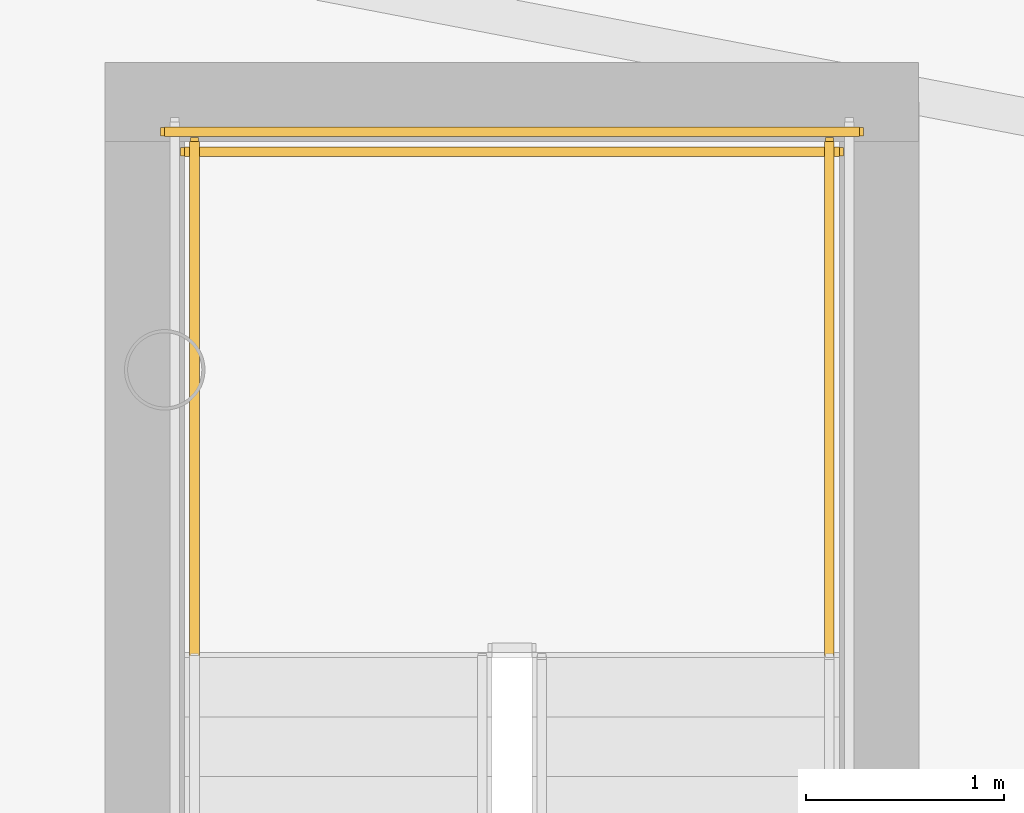
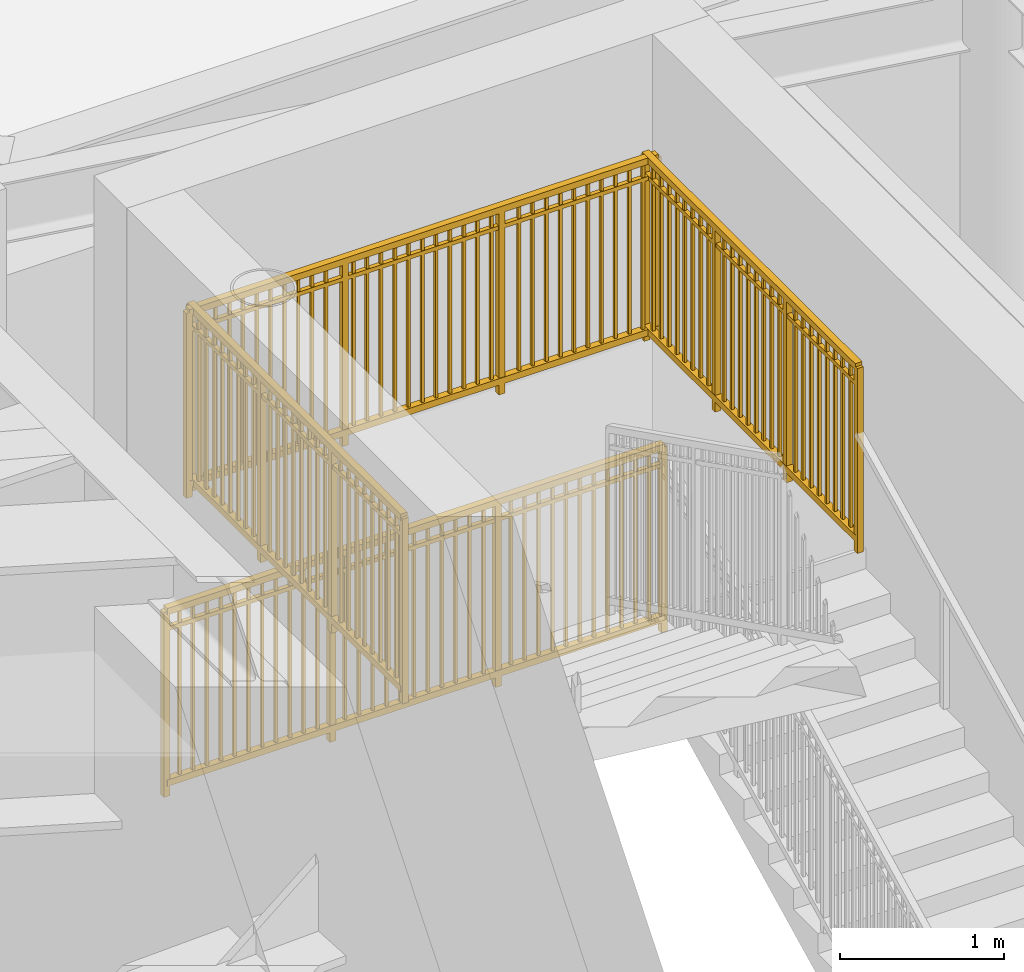
# One storey, part 21 of 21: 4 railings.
"""IFC4 building model written with IfcOpenShell, lengths in metres."""

from ifc_helpers import new_model, si_unit, direction, frame, origin, origin_2d, place, context, subcontext, project, spatial, rectangle, extrude, source, transform, mapped, material, type_object, element, save


model = new_model("IFC4")

# Units and contexts
model_context = context("Model", 3, precision=1e-05, world=origin(), true_north=direction((0.0, 1.0)))
body_context = subcontext(model_context, "Body", "Model", "MODEL_VIEW")
ifc_project = project(units=[si_unit("LENGTHUNIT", "METRE"), si_unit("AREAUNIT", "SQUARE_METRE"), si_unit("VOLUMEUNIT", "CUBIC_METRE"), si_unit("PLANEANGLEUNIT", "RADIAN"), si_unit("MASSUNIT", "GRAM", prefix="KILO")], contexts=[model_context])

# Site, building, storey
site_placement = place(None, origin())
site = spatial("IfcSite", under=ifc_project, at=site_placement, CompositionType="ELEMENT")
building_placement = place(site_placement, origin())
building = spatial("IfcBuilding", under=site, at=building_placement, Name="Linh Dai School and Residence Tower", CompositionType="ELEMENT")
storey_placement = place(building_placement, frame((0.0, 0.0, -4.5)))
storey = spatial("IfcBuildingStorey", under=building, at=storey_placement, Name="B01", CompositionType="ELEMENT", Elevation=-4.5)

# Railings
ifc_material = material(Name="Structural Steel S355JR", Category="steel")
railing_type = type_object("IfcRailingType", Name="RL-ST-GUARD-1400", PredefinedType="GUARDRAIL", material=ifc_material)
shared_shape_1 = source(origin(), body_context, "Body", "SweptSolid", [
    extrude(rectangle(XDim=0.048095703125, YDim=0.048095703125, at=origin_2d()), frame((0.0, 0.0, 1.3759765625), z_axis=(0.0, 1.0, 0.0), x_axis=(-1.0, 0.0, 0.0)), (0.0, 0.0, 1.0), 2.60009765625),
    extrude(rectangle(XDim=0.048095703125, YDim=0.048095703125, at=origin_2d()), frame((0.0, 0.0, 0.10009765625), z_axis=(0.0, 1.0, 0.0), x_axis=(-1.0, 0.0, 0.0)), (0.0, 0.0, 1.0), 2.60009765625),
    extrude(rectangle(XDim=0.030029296875, YDim=0.030029296875, at=origin_2d()), frame((0.0, 0.0, 1.239990234375), z_axis=(0.0, 1.0, 0.0), x_axis=(-1.0, 0.0, 0.0)), (0.0, 0.0, 1.0), 2.60009765625),
    extrude(rectangle(XDim=0.02001953125, YDim=0.02001953125, at=origin_2d()), frame((0.0, 0.09619140625, 0.10009765625)), (0.0, 0.0, 1.0), 1.251708984375),
    extrude(rectangle(XDim=0.02001953125, YDim=0.02001953125, at=origin_2d()), frame((0.0, 0.192626953125, 0.10009765625)), (0.0, 0.0, 1.0), 1.251708984375),
    extrude(rectangle(XDim=0.02001953125, YDim=0.02001953125, at=origin_2d()), frame((0.0, 0.288818359375, 0.10009765625)), (0.0, 0.0, 1.0), 1.251708984375),
    extrude(rectangle(XDim=0.02001953125, YDim=0.02001953125, at=origin_2d()), frame((0.0, 0.38525390625, 0.10009765625)), (0.0, 0.0, 1.0), 1.251708984375),
    extrude(rectangle(XDim=0.02001953125, YDim=0.02001953125, at=origin_2d()), frame((0.0, 0.4814453125, 0.10009765625)), (0.0, 0.0, 1.0), 1.251708984375),
    extrude(rectangle(XDim=0.02001953125, YDim=0.02001953125, at=origin_2d()), frame((0.0, 0.577880859375, 0.10009765625)), (0.0, 0.0, 1.0), 1.251708984375),
    extrude(rectangle(XDim=0.02001953125, YDim=0.02001953125, at=origin_2d()), frame((0.0, 0.674072265625, 0.10009765625)), (0.0, 0.0, 1.0), 1.251708984375),
    extrude(rectangle(XDim=0.02001953125, YDim=0.02001953125, at=origin_2d()), frame((0.0, 0.7705078125, 0.10009765625)), (0.0, 0.0, 1.0), 1.251708984375),
    extrude(rectangle(XDim=0.02001953125, YDim=0.02001953125, at=origin_2d()), frame((0.0, 0.962890625, 0.10009765625)), (0.0, 0.0, 1.0), 1.251708984375),
    extrude(rectangle(XDim=0.02001953125, YDim=0.02001953125, at=origin_2d()), frame((0.0, 1.059326171875, 0.10009765625)), (0.0, 0.0, 1.0), 1.251708984375),
    extrude(rectangle(XDim=0.02001953125, YDim=0.02001953125, at=origin_2d()), frame((0.0, 1.155517578125, 0.10009765625)), (0.0, 0.0, 1.0), 1.251708984375),
    extrude(rectangle(XDim=0.02001953125, YDim=0.02001953125, at=origin_2d()), frame((0.0, 1.251953125, 0.10009765625)), (0.0, 0.0, 1.0), 1.251708984375),
    extrude(rectangle(XDim=0.02001953125, YDim=0.02001953125, at=origin_2d()), frame((0.0, 1.34814453125, 0.10009765625)), (0.0, 0.0, 1.0), 1.251708984375),
    extrude(rectangle(XDim=0.02001953125, YDim=0.02001953125, at=origin_2d()), frame((0.0, 1.444580078125, 0.10009765625)), (0.0, 0.0, 1.0), 1.251708984375),
    extrude(rectangle(XDim=0.02001953125, YDim=0.02001953125, at=origin_2d()), frame((0.0, 1.540771484375, 0.10009765625)), (0.0, 0.0, 1.0), 1.251708984375),
    extrude(rectangle(XDim=0.02001953125, YDim=0.02001953125, at=origin_2d()), frame((0.0, 1.63720703125, 0.10009765625)), (0.0, 0.0, 1.0), 1.251708984375),
    extrude(rectangle(XDim=0.02001953125, YDim=0.02001953125, at=origin_2d()), frame((0.0, 1.82958984375, 0.10009765625)), (0.0, 0.0, 1.0), 1.251708984375),
    extrude(rectangle(XDim=0.02001953125, YDim=0.02001953125, at=origin_2d()), frame((0.0, 1.926025390625, 0.10009765625)), (0.0, 0.0, 1.0), 1.251708984375),
    extrude(rectangle(XDim=0.02001953125, YDim=0.02001953125, at=origin_2d()), frame((0.0, 2.022216796875, 0.10009765625)), (0.0, 0.0, 1.0), 1.251708984375),
    extrude(rectangle(XDim=0.02001953125, YDim=0.02001953125, at=origin_2d()), frame((0.0, 2.11865234375, 0.10009765625)), (0.0, 0.0, 1.0), 1.251708984375),
    extrude(rectangle(XDim=0.02001953125, YDim=0.02001953125, at=origin_2d()), frame((0.0, 2.21484375, 0.10009765625)), (0.0, 0.0, 1.0), 1.251708984375),
    extrude(rectangle(XDim=0.02001953125, YDim=0.02001953125, at=origin_2d()), frame((0.0, 2.311279296875, 0.10009765625)), (0.0, 0.0, 1.0), 1.251708984375),
    extrude(rectangle(XDim=0.02001953125, YDim=0.02001953125, at=origin_2d()), frame((0.0, 2.407470703125, 0.10009765625)), (0.0, 0.0, 1.0), 1.251708984375),
    extrude(rectangle(XDim=0.02001953125, YDim=0.02001953125, at=origin_2d()), frame((0.0, 2.50390625, 0.10009765625)), (0.0, 0.0, 1.0), 1.251708984375),
    extrude(rectangle(XDim=0.0419921875, YDim=0.0419921875, at=origin_2d()), origin(), (0.0, 0.0, 1.0), 1.3759765625),
    extrude(rectangle(XDim=0.0419921875, YDim=0.0419921875, at=origin_2d()), frame((0.0, 0.86669921875, 0.0)), (0.0, 0.0, 1.0), 1.3759765625),
    extrude(rectangle(XDim=0.0419921875, YDim=0.0419921875, at=origin_2d()), frame((0.0, 1.7333984375, 0.0)), (0.0, 0.0, 1.0), 1.3759765625),
    extrude(rectangle(XDim=0.0419921875, YDim=0.0419921875, at=origin_2d()), frame((0.0, 2.60009765625, 0.0)), (0.0, 0.0, 1.0), 1.3759765625),
])
for number, where, name in (
    (1, (30.929931640625, 29.89990234375, 2.25), "B01 ST1 stair guard 3"),
    (2, (27.72998046875, 29.89990234375, 2.25), "B01 ST1 stair guard 4"),
):
    element("IfcRailing", number, at=place(storey_placement, frame(where)), inside=storey, type_object=railing_type, Name=name, PredefinedType="GUARDRAIL", context=body_context, shape_type="MappedRepresentation", body=[
        mapped(shared_shape_1, transform((0.0, 0.0, 0.0), x_axis=(1.0, 0.0, 0.0), y_axis=(0.0, 1.0, 0.0), z_axis=(0.0, 0.0, 1.0), scale=1.0)),
    ])
shared_shape_2 = source(origin(), body_context, "Body", "SweptSolid", [
    extrude(rectangle(XDim=0.048095703125, YDim=0.048095703125, at=origin_2d()), frame((0.0, 0.0, 1.3759765625), z_axis=(-1.0, 0.0, 0.0), x_axis=(0.0, -1.0, 0.0)), (0.0, 0.0, 1.0), 3.300048828125),
    extrude(rectangle(XDim=0.048095703125, YDim=0.048095703125, at=origin_2d()), frame((0.0, 0.0, 0.10009765625), z_axis=(-1.0, 0.0, 0.0), x_axis=(0.0, -1.0, 0.0)), (0.0, 0.0, 1.0), 3.300048828125),
    extrude(rectangle(XDim=0.030029296875, YDim=0.030029296875, at=origin_2d()), frame((0.0, 0.0, 1.239990234375), z_axis=(-1.0, 0.0, 0.0), x_axis=(0.0, -1.0, 0.0)), (0.0, 0.0, 1.0), 3.300048828125),
    extrude(rectangle(XDim=0.02001953125, YDim=0.02001953125, at=origin_2d()), frame((-0.09716796875, 0.0, 0.10009765625)), (0.0, 0.0, 1.0), 1.251708984375),
    extrude(rectangle(XDim=0.02001953125, YDim=0.02001953125, at=origin_2d()), frame((-0.194091796875, 0.0, 0.10009765625)), (0.0, 0.0, 1.0), 1.251708984375),
    extrude(rectangle(XDim=0.02001953125, YDim=0.02001953125, at=origin_2d()), frame((-0.291259765625, 0.0, 0.10009765625)), (0.0, 0.0, 1.0), 1.251708984375),
    extrude(rectangle(XDim=0.02001953125, YDim=0.02001953125, at=origin_2d()), frame((-0.38818359375, 0.0, 0.10009765625)), (0.0, 0.0, 1.0), 1.251708984375),
    extrude(rectangle(XDim=0.02001953125, YDim=0.02001953125, at=origin_2d()), frame((-0.4853515625, 0.0, 0.10009765625)), (0.0, 0.0, 1.0), 1.251708984375),
    extrude(rectangle(XDim=0.02001953125, YDim=0.02001953125, at=origin_2d()), frame((-0.582275390625, 0.0, 0.10009765625)), (0.0, 0.0, 1.0), 1.251708984375),
    extrude(rectangle(XDim=0.02001953125, YDim=0.02001953125, at=origin_2d()), frame((-0.679443359375, 0.0, 0.10009765625)), (0.0, 0.0, 1.0), 1.251708984375),
    extrude(rectangle(XDim=0.02001953125, YDim=0.02001953125, at=origin_2d()), frame((-0.7763671875, 0.0, 0.10009765625)), (0.0, 0.0, 1.0), 1.251708984375),
    extrude(rectangle(XDim=0.02001953125, YDim=0.02001953125, at=origin_2d()), frame((-0.87353515625, 0.0, 0.10009765625)), (0.0, 0.0, 1.0), 1.251708984375),
    extrude(rectangle(XDim=0.02001953125, YDim=0.02001953125, at=origin_2d()), frame((-0.970703125, 0.0, 0.10009765625)), (0.0, 0.0, 1.0), 1.251708984375),
    extrude(rectangle(XDim=0.02001953125, YDim=0.02001953125, at=origin_2d()), frame((-1.164794921875, 0.0, 0.10009765625)), (0.0, 0.0, 1.0), 1.251708984375),
    extrude(rectangle(XDim=0.02001953125, YDim=0.02001953125, at=origin_2d()), frame((-1.26171875, 0.0, 0.10009765625)), (0.0, 0.0, 1.0), 1.251708984375),
    extrude(rectangle(XDim=0.02001953125, YDim=0.02001953125, at=origin_2d()), frame((-1.35888671875, 0.0, 0.10009765625)), (0.0, 0.0, 1.0), 1.251708984375),
    extrude(rectangle(XDim=0.02001953125, YDim=0.02001953125, at=origin_2d()), frame((-1.455810546875, 0.0, 0.10009765625)), (0.0, 0.0, 1.0), 1.251708984375),
    extrude(rectangle(XDim=0.02001953125, YDim=0.02001953125, at=origin_2d()), frame((-1.552978515625, 0.0, 0.10009765625)), (0.0, 0.0, 1.0), 1.251708984375),
    extrude(rectangle(XDim=0.02001953125, YDim=0.02001953125, at=origin_2d()), frame((-1.64990234375, 0.0, 0.10009765625)), (0.0, 0.0, 1.0), 1.251708984375),
    extrude(rectangle(XDim=0.02001953125, YDim=0.02001953125, at=origin_2d()), frame((-1.7470703125, 0.0, 0.10009765625)), (0.0, 0.0, 1.0), 1.251708984375),
    extrude(rectangle(XDim=0.02001953125, YDim=0.02001953125, at=origin_2d()), frame((-1.84423828125, 0.0, 0.10009765625)), (0.0, 0.0, 1.0), 1.251708984375),
    extrude(rectangle(XDim=0.02001953125, YDim=0.02001953125, at=origin_2d()), frame((-1.941162109375, 0.0, 0.10009765625)), (0.0, 0.0, 1.0), 1.251708984375),
    extrude(rectangle(XDim=0.02001953125, YDim=0.02001953125, at=origin_2d()), frame((-2.038330078125, 0.0, 0.10009765625)), (0.0, 0.0, 1.0), 1.251708984375),
    extrude(rectangle(XDim=0.02001953125, YDim=0.02001953125, at=origin_2d()), frame((-2.13525390625, 0.0, 0.10009765625)), (0.0, 0.0, 1.0), 1.251708984375),
    extrude(rectangle(XDim=0.02001953125, YDim=0.02001953125, at=origin_2d()), frame((-2.329345703125, 0.0, 0.10009765625)), (0.0, 0.0, 1.0), 1.251708984375),
    extrude(rectangle(XDim=0.02001953125, YDim=0.02001953125, at=origin_2d()), frame((-2.426513671875, 0.0, 0.10009765625)), (0.0, 0.0, 1.0), 1.251708984375),
    extrude(rectangle(XDim=0.02001953125, YDim=0.02001953125, at=origin_2d()), frame((-2.523681640625, 0.0, 0.10009765625)), (0.0, 0.0, 1.0), 1.251708984375),
    extrude(rectangle(XDim=0.02001953125, YDim=0.02001953125, at=origin_2d()), frame((-2.62060546875, 0.0, 0.10009765625)), (0.0, 0.0, 1.0), 1.251708984375),
    extrude(rectangle(XDim=0.02001953125, YDim=0.02001953125, at=origin_2d()), frame((-2.7177734375, 0.0, 0.10009765625)), (0.0, 0.0, 1.0), 1.251708984375),
    extrude(rectangle(XDim=0.02001953125, YDim=0.02001953125, at=origin_2d()), frame((-2.814697265625, 0.0, 0.10009765625)), (0.0, 0.0, 1.0), 1.251708984375),
    extrude(rectangle(XDim=0.02001953125, YDim=0.02001953125, at=origin_2d()), frame((-2.911865234375, 0.0, 0.10009765625)), (0.0, 0.0, 1.0), 1.251708984375),
    extrude(rectangle(XDim=0.02001953125, YDim=0.02001953125, at=origin_2d()), frame((-3.0087890625, 0.0, 0.10009765625)), (0.0, 0.0, 1.0), 1.251708984375),
    extrude(rectangle(XDim=0.02001953125, YDim=0.02001953125, at=origin_2d()), frame((-3.10595703125, 0.0, 0.10009765625)), (0.0, 0.0, 1.0), 1.251708984375),
    extrude(rectangle(XDim=0.02001953125, YDim=0.02001953125, at=origin_2d()), frame((-3.202880859375, 0.0, 0.10009765625)), (0.0, 0.0, 1.0), 1.251708984375),
    extrude(rectangle(XDim=0.0419921875, YDim=0.0419921875, at=origin_2d()), origin(), (0.0, 0.0, 1.0), 1.3759765625),
    extrude(rectangle(XDim=0.0419921875, YDim=0.0419921875, at=origin_2d()), frame((-1.10009765625, 0.0, 0.0)), (0.0, 0.0, 1.0), 1.3759765625),
    extrude(rectangle(XDim=0.0419921875, YDim=0.0419921875, at=origin_2d()), frame((-2.199951171875, 0.0, 0.0)), (0.0, 0.0, 1.0), 1.3759765625),
    extrude(rectangle(XDim=0.0419921875, YDim=0.0419921875, at=origin_2d()), frame((-3.300048828125, 0.0, 0.0)), (0.0, 0.0, 1.0), 1.3759765625),
])
railing_1_placement = place(storey_placement, frame((30.97998046875, 32.449951171875, 2.25)))
element("IfcRailing", 3, at=railing_1_placement, inside=storey, type_object=railing_type, Name="B01 ST1 stair guard 5", PredefinedType="GUARDRAIL", context=body_context, shape_type="MappedRepresentation", body=[
    mapped(shared_shape_2, transform((0.0, 0.0, 0.0), x_axis=(1.0, 0.0, 0.0), y_axis=(0.0, 1.0, 0.0), z_axis=(0.0, 0.0, 1.0), scale=1.0)),
])
shared_shape_3 = source(origin(), body_context, "Body", "SweptSolid", [
    extrude(rectangle(XDim=0.048095703125, YDim=0.048095703125, at=origin_2d()), frame((0.0, 0.0, 1.3759765625), z_axis=(-1.0, 0.0, 0.0), x_axis=(0.0, -1.0, 0.0)), (0.0, 0.0, 1.0), 3.5),
    extrude(rectangle(XDim=0.048095703125, YDim=0.048095703125, at=origin_2d()), frame((0.0, 0.0, 0.10009765625), z_axis=(-1.0, 0.0, 0.0), x_axis=(0.0, -1.0, 0.0)), (0.0, 0.0, 1.0), 3.5),
    extrude(rectangle(XDim=0.030029296875, YDim=0.030029296875, at=origin_2d()), frame((0.0, 0.0, 1.239990234375), z_axis=(-1.0, 0.0, 0.0), x_axis=(0.0, -1.0, 0.0)), (0.0, 0.0, 1.0), 3.5),
    extrude(rectangle(XDim=0.02001953125, YDim=0.02001953125, at=origin_2d()), frame((-0.09716796875, 0.0, 0.10009765625)), (0.0, 0.0, 1.0), 1.251708984375),
    extrude(rectangle(XDim=0.02001953125, YDim=0.02001953125, at=origin_2d()), frame((-0.1943359375, 0.0, 0.10009765625)), (0.0, 0.0, 1.0), 1.251708984375),
    extrude(rectangle(XDim=0.02001953125, YDim=0.02001953125, at=origin_2d()), frame((-0.291748046875, 0.0, 0.10009765625)), (0.0, 0.0, 1.0), 1.251708984375),
    extrude(rectangle(XDim=0.02001953125, YDim=0.02001953125, at=origin_2d()), frame((-0.388916015625, 0.0, 0.10009765625)), (0.0, 0.0, 1.0), 1.251708984375),
    extrude(rectangle(XDim=0.02001953125, YDim=0.02001953125, at=origin_2d()), frame((-0.486083984375, 0.0, 0.10009765625)), (0.0, 0.0, 1.0), 1.251708984375),
    extrude(rectangle(XDim=0.02001953125, YDim=0.02001953125, at=origin_2d()), frame((-0.583251953125, 0.0, 0.10009765625)), (0.0, 0.0, 1.0), 1.251708984375),
    extrude(rectangle(XDim=0.02001953125, YDim=0.02001953125, at=origin_2d()), frame((-0.6806640625, 0.0, 0.10009765625)), (0.0, 0.0, 1.0), 1.251708984375),
    extrude(rectangle(XDim=0.02001953125, YDim=0.02001953125, at=origin_2d()), frame((-0.77783203125, 0.0, 0.10009765625)), (0.0, 0.0, 1.0), 1.251708984375),
    extrude(rectangle(XDim=0.02001953125, YDim=0.02001953125, at=origin_2d()), frame((-0.875, 0.0, 0.10009765625)), (0.0, 0.0, 1.0), 1.251708984375),
    extrude(rectangle(XDim=0.02001953125, YDim=0.02001953125, at=origin_2d()), frame((-0.97216796875, 0.0, 0.10009765625)), (0.0, 0.0, 1.0), 1.251708984375),
    extrude(rectangle(XDim=0.02001953125, YDim=0.02001953125, at=origin_2d()), frame((-1.0693359375, 0.0, 0.10009765625)), (0.0, 0.0, 1.0), 1.251708984375),
    extrude(rectangle(XDim=0.02001953125, YDim=0.02001953125, at=origin_2d()), frame((-1.263916015625, 0.0, 0.10009765625)), (0.0, 0.0, 1.0), 1.251708984375),
    extrude(rectangle(XDim=0.02001953125, YDim=0.02001953125, at=origin_2d()), frame((-1.361083984375, 0.0, 0.10009765625)), (0.0, 0.0, 1.0), 1.251708984375),
    extrude(rectangle(XDim=0.02001953125, YDim=0.02001953125, at=origin_2d()), frame((-1.458251953125, 0.0, 0.10009765625)), (0.0, 0.0, 1.0), 1.251708984375),
    extrude(rectangle(XDim=0.02001953125, YDim=0.02001953125, at=origin_2d()), frame((-1.5556640625, 0.0, 0.10009765625)), (0.0, 0.0, 1.0), 1.251708984375),
    extrude(rectangle(XDim=0.02001953125, YDim=0.02001953125, at=origin_2d()), frame((-1.65283203125, 0.0, 0.10009765625)), (0.0, 0.0, 1.0), 1.251708984375),
    extrude(rectangle(XDim=0.02001953125, YDim=0.02001953125, at=origin_2d()), frame((-1.75, 0.0, 0.10009765625)), (0.0, 0.0, 1.0), 1.251708984375),
    extrude(rectangle(XDim=0.02001953125, YDim=0.02001953125, at=origin_2d()), frame((-1.84716796875, 0.0, 0.10009765625)), (0.0, 0.0, 1.0), 1.251708984375),
    extrude(rectangle(XDim=0.02001953125, YDim=0.02001953125, at=origin_2d()), frame((-1.9443359375, 0.0, 0.10009765625)), (0.0, 0.0, 1.0), 1.251708984375),
    extrude(rectangle(XDim=0.02001953125, YDim=0.02001953125, at=origin_2d()), frame((-2.041748046875, 0.0, 0.10009765625)), (0.0, 0.0, 1.0), 1.251708984375),
    extrude(rectangle(XDim=0.02001953125, YDim=0.02001953125, at=origin_2d()), frame((-2.138916015625, 0.0, 0.10009765625)), (0.0, 0.0, 1.0), 1.251708984375),
    extrude(rectangle(XDim=0.02001953125, YDim=0.02001953125, at=origin_2d()), frame((-2.236083984375, 0.0, 0.10009765625)), (0.0, 0.0, 1.0), 1.251708984375),
    extrude(rectangle(XDim=0.02001953125, YDim=0.02001953125, at=origin_2d()), frame((-2.4306640625, 0.0, 0.10009765625)), (0.0, 0.0, 1.0), 1.251708984375),
    extrude(rectangle(XDim=0.02001953125, YDim=0.02001953125, at=origin_2d()), frame((-2.52783203125, 0.0, 0.10009765625)), (0.0, 0.0, 1.0), 1.251708984375),
    extrude(rectangle(XDim=0.02001953125, YDim=0.02001953125, at=origin_2d()), frame((-2.625, 0.0, 0.10009765625)), (0.0, 0.0, 1.0), 1.251708984375),
    extrude(rectangle(XDim=0.02001953125, YDim=0.02001953125, at=origin_2d()), frame((-2.72216796875, 0.0, 0.10009765625)), (0.0, 0.0, 1.0), 1.251708984375),
    extrude(rectangle(XDim=0.02001953125, YDim=0.02001953125, at=origin_2d()), frame((-2.8193359375, 0.0, 0.10009765625)), (0.0, 0.0, 1.0), 1.251708984375),
    extrude(rectangle(XDim=0.02001953125, YDim=0.02001953125, at=origin_2d()), frame((-2.916748046875, 0.0, 0.10009765625)), (0.0, 0.0, 1.0), 1.251708984375),
    extrude(rectangle(XDim=0.02001953125, YDim=0.02001953125, at=origin_2d()), frame((-3.013916015625, 0.0, 0.10009765625)), (0.0, 0.0, 1.0), 1.251708984375),
    extrude(rectangle(XDim=0.02001953125, YDim=0.02001953125, at=origin_2d()), frame((-3.111083984375, 0.0, 0.10009765625)), (0.0, 0.0, 1.0), 1.251708984375),
    extrude(rectangle(XDim=0.02001953125, YDim=0.02001953125, at=origin_2d()), frame((-3.208251953125, 0.0, 0.10009765625)), (0.0, 0.0, 1.0), 1.251708984375),
    extrude(rectangle(XDim=0.02001953125, YDim=0.02001953125, at=origin_2d()), frame((-3.3056640625, 0.0, 0.10009765625)), (0.0, 0.0, 1.0), 1.251708984375),
    extrude(rectangle(XDim=0.02001953125, YDim=0.02001953125, at=origin_2d()), frame((-3.40283203125, 0.0, 0.10009765625)), (0.0, 0.0, 1.0), 1.251708984375),
    extrude(rectangle(XDim=0.0419921875, YDim=0.0419921875, at=origin_2d()), origin(), (0.0, 0.0, 1.0), 1.3759765625),
    extrude(rectangle(XDim=0.0419921875, YDim=0.0419921875, at=origin_2d()), frame((-1.166748046875, 0.0, 0.0)), (0.0, 0.0, 1.0), 1.3759765625),
    extrude(rectangle(XDim=0.0419921875, YDim=0.0419921875, at=origin_2d()), frame((-2.333251953125, 0.0, 0.0)), (0.0, 0.0, 1.0), 1.3759765625),
    extrude(rectangle(XDim=0.0419921875, YDim=0.0419921875, at=origin_2d()), frame((-3.5, 0.0, 0.0)), (0.0, 0.0, 1.0), 1.3759765625),
])
railing_2_placement = place(storey_placement, frame((31.080078125, 32.550048828125, 0.0)))
element("IfcRailing", 4, at=railing_2_placement, inside=storey, type_object=railing_type, Name="B01 ST1 stair guard 12", PredefinedType="GUARDRAIL", context=body_context, shape_type="MappedRepresentation", body=[
    mapped(shared_shape_3, transform((0.0, 0.0, 0.0), x_axis=(1.0, 0.0, 0.0), y_axis=(0.0, 1.0, 0.0), z_axis=(0.0, 0.0, 1.0), scale=1.0)),
])

save(model, "model.ifc")
